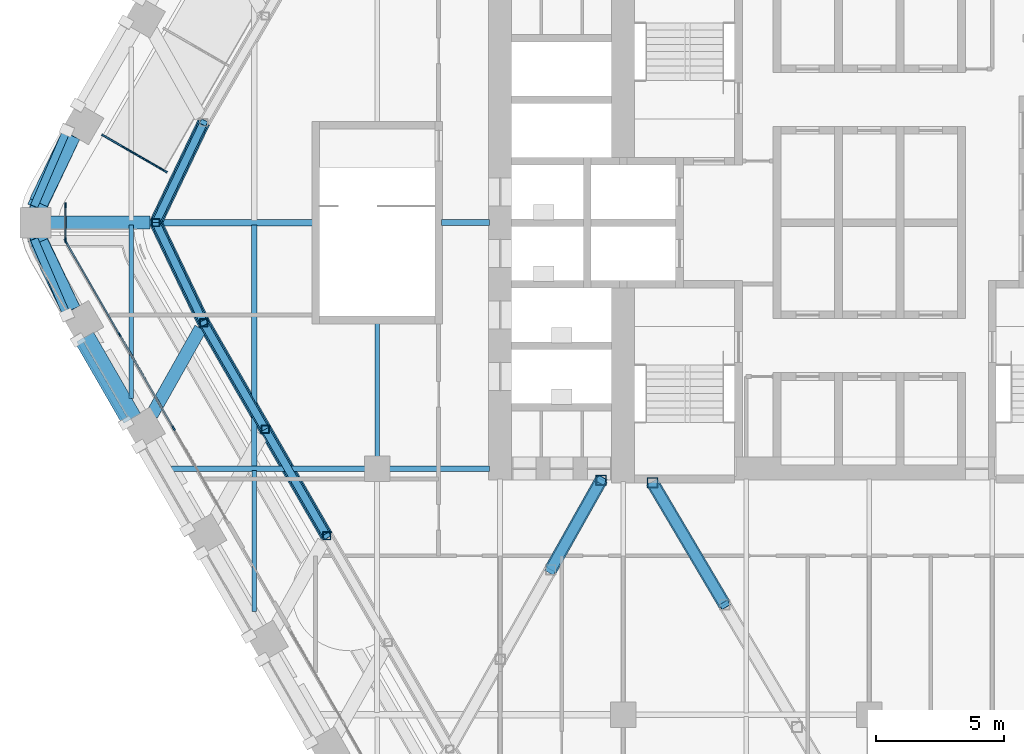
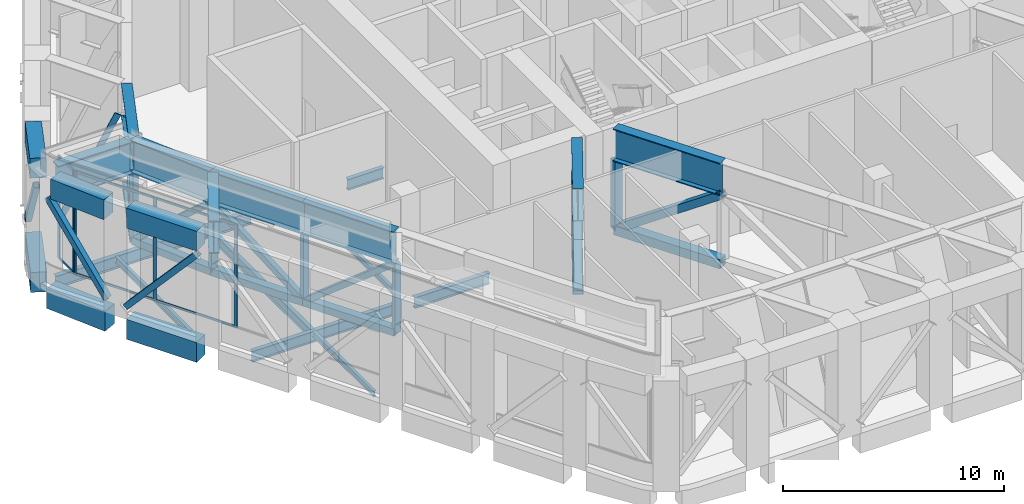
# One storey, part 4 of 27: 33 members, 22 beams, 3 elements without a shape of their own.
"""IFC4 building model written with IfcOpenShell, lengths in metres."""

from ifc_helpers import new_model, si_unit, direction, frame, origin, origin_2d, place, context, subcontext, project, spatial, rectangle, hollow_rectangle, i_section, extrude, material, material_profile, profile_set, type_object, element, aggregate, save


model = new_model("IFC4")

# Units and contexts
model_context = context("Model", 3, precision=1e-05, world=origin(), true_north=direction((0.0, 1.0)))
body_context = subcontext(model_context, "Body", "Model", "MODEL_VIEW")
ifc_project = project(units=[si_unit("LENGTHUNIT", "METRE"), si_unit("AREAUNIT", "SQUARE_METRE"), si_unit("VOLUMEUNIT", "CUBIC_METRE"), si_unit("PLANEANGLEUNIT", "RADIAN"), si_unit("MASSUNIT", "GRAM", prefix="KILO")], contexts=[model_context])

# Site, building, storey
site_placement = place(None, origin())
site = spatial("IfcSite", under=ifc_project, at=site_placement, CompositionType="ELEMENT")
building_placement = place(site_placement, origin())
building = spatial("IfcBuilding", under=site, at=building_placement, Name="Kolab Exchange Tower", CompositionType="ELEMENT")
storey_placement = place(building_placement, frame((0.0, 0.0, 127.39990234375)))
storey = spatial("IfcBuildingStorey", under=building, at=storey_placement, Name="L25", CompositionType="ELEMENT", Elevation=127.39990234375)

# Members
ifc_material_1 = material(Name="Steel S355", Category="steel")
ifc_material_profile_1 = material_profile(ifc_material_1, hollow_rectangle(XDim=0.300048828125, YDim=0.300048828125, WallThickness=0.01611328125, at=origin_2d()), Name="HSS300X300X16")
ifc_profile_set_1 = profile_set([ifc_material_profile_1], Name="Steel S355")
member_type_1 = type_object("IfcMemberType", Name="BELT TRUSS BRACE HSS300X300X16", PredefinedType="BRACE", material=ifc_profile_set_1)
for number, where, z_axis, x_axis, name in (
    (1, (-21.1669921875, -12.220703125, 4.050048828125), (-0.392004841722, 0.679009810783, -0.620707564741), (-0.866037363387, -0.499979284789, 0.0), "mem/L25/ring/d-F5-04"),
    (2, (-23.56689453125, -8.063720703125, 0.25), (-0.392049206664, 0.678977702437, 0.620714668062), (-0.866002622515, -0.50003945624, 0.0), "mem/L25/ring/d-F5-05"),
):
    element("IfcMember", number, at=place(storey_placement, frame(where, z_axis=z_axis, x_axis=x_axis)), inside=storey, type_object=member_type_1, Name=name, PredefinedType="BRACE", context=body_context, shape_type="SweptSolid", body=[
        extrude(hollow_rectangle(XDim=0.300048828125, YDim=0.300048828125, WallThickness=0.01611328125, at=origin_2d()), origin(), (0.0, 0.0, 1.0), 6.1220703125),
    ])
for number, where, z_axis, x_axis, name in (
    (3, (-25.967041015625, -3.906982421875, 4.050048828125), (-0.324363166601, 0.678090627709, -0.659531376635), (-0.902103692361, -0.43151932544, 0.0), "mem/L25/ring/d-F5-06"),
    (4, (-27.8359375, 0.0, 0.25), (0.324363166601, 0.678090627709, 0.659531376635), (-0.902103692361, 0.43151932544, 0.0), "mem/L25/ring/d-F6-01"),
):
    element("IfcMember", number, at=place(storey_placement, frame(where, z_axis=z_axis, x_axis=x_axis)), inside=storey, type_object=member_type_1, Name=name, PredefinedType="BRACE", context=body_context, shape_type="SweptSolid", body=[
        extrude(hollow_rectangle(XDim=0.300048828125, YDim=0.300048828125, WallThickness=0.01611328125, at=origin_2d()), origin(), (0.0, 0.0, 1.0), 5.76171875),
    ])
member_1_placement = place(storey_placement, frame((-29.006591796875, -7.812255859375, 4.60009765625), z_axis=(-0.33175876964, 0.574575918421, -0.748196921096), x_axis=(-0.866007645851, -0.500030756381, 0.0)))
element("IfcMember", 5, at=member_1_placement, inside=storey, type_object=member_type_1, Name="mem/L25/fb/F5-06", PredefinedType="BRACE", context=body_context, shape_type="SweptSolid", body=[
    extrude(hollow_rectangle(XDim=0.300048828125, YDim=0.300048828125, WallThickness=0.01611328125, at=origin_2d()), origin(), (0.0, 0.0, 1.0), 5.613525390625),
])
for number, where, z_axis, x_axis, name in (
    (6, (-31.311767578125, -3.602294921875, 0.400146484375), (-0.246074171862, 0.571594627761, 0.782768856979), (-0.91850087685, -0.395418941411, 0.0), "mem/L25/fb/F5-07"),
    (7, (-32.632080078125, 0.535400390625, 4.60009765625), (0.246074171862, 0.571594627761, -0.782768856979), (-0.91850087685, 0.395418941411, 0.0), "mem/L25/fb/F6-01"),
):
    element("IfcMember", number, at=place(storey_placement, frame(where, z_axis=z_axis, x_axis=x_axis)), inside=storey, type_object=member_type_1, Name=name, PredefinedType="BRACE", context=body_context, shape_type="SweptSolid", body=[
        extrude(hollow_rectangle(XDim=0.300048828125, YDim=0.300048828125, WallThickness=0.01611328125, at=origin_2d()), origin(), (0.0, 0.0, 1.0), 5.365478515625),
    ])
ifc_material_profile_2 = material_profile(ifc_material_1, hollow_rectangle(XDim=0.39990234375, YDim=0.39990234375, WallThickness=0.02001953125, at=origin_2d()), Name="HSS400X400X20")
ifc_profile_set_2 = profile_set([ifc_material_profile_2], Name="Steel S355")
member_type_2 = type_object("IfcMemberType", Name="BELT TRUSS CHORD HSS400X400X20", PredefinedType="CHORD", material=ifc_profile_set_2)
member_2_placement = place(storey_placement, frame((-21.1669921875, -12.220703125, 0.25), z_axis=(-0.499979284789, 0.866037363387, 0.0), x_axis=(-0.866037363387, -0.499979284789, 0.0)))
element("IfcMember", 8, at=member_2_placement, inside=storey, type_object=member_type_2, Name="mem/L25/ring/c-F5-04", PredefinedType="CHORD", context=body_context, shape_type="SweptSolid", body=[
    extrude(hollow_rectangle(XDim=0.39990234375, YDim=0.39990234375, WallThickness=0.02001953125, at=origin_2d()), origin(), (0.0, 0.0, 1.0), 4.800048828125),
])
member_3_placement = place(storey_placement, frame((-23.56689453125, -8.063720703125, 0.25), z_axis=(-0.50003945624, 0.866002622515, 0.0), x_axis=(-0.866002622515, -0.50003945624, 0.0)))
element("IfcMember", 9, at=member_3_placement, inside=storey, type_object=member_type_2, Name="mem/L25/ring/c-F5-05", PredefinedType="CHORD", context=body_context, shape_type="SweptSolid", body=[
    extrude(hollow_rectangle(XDim=0.39990234375, YDim=0.39990234375, WallThickness=0.02001953125, at=origin_2d()), origin(), (0.0, 0.0, 1.0), 4.7998046875),
])
for number, where, z_axis, x_axis, name in (
    (10, (-25.967041015625, -3.906982421875, 0.25), (-0.43151932544, 0.902103692361, 0.0), (-0.902103692361, -0.43151932544, 0.0), "mem/L25/ring/c-F5-06"),
    (11, (-27.8359375, 0.0, 0.25), (0.43151932544, 0.902103692361, 0.0), (-0.902103692361, 0.43151932544, 0.0), "mem/L25/ring/c-F6-01"),
):
    element("IfcMember", number, at=place(storey_placement, frame(where, z_axis=z_axis, x_axis=x_axis)), inside=storey, type_object=member_type_2, Name=name, PredefinedType="CHORD", context=body_context, shape_type="SweptSolid", body=[
        extrude(hollow_rectangle(XDim=0.39990234375, YDim=0.39990234375, WallThickness=0.02001953125, at=origin_2d()), origin(), (0.0, 0.0, 1.0), 4.3310546875),
    ])

# Beams
ifc_material_profile_3 = material_profile(ifc_material_1, i_section(OverallWidth=0.5, OverallDepth=1.800048828125, WebThickness=0.031982421875, FlangeThickness=0.050048828125, at=origin_2d()), Name="PG1800X500")
ifc_profile_set_3 = profile_set([ifc_material_profile_3], Name="Steel S355")
beam_type_1 = type_object("IfcBeamType", Name="BELT TRUSS GIRDER PG1800X500", PredefinedType="BEAM", material=ifc_profile_set_3)
beam_1_placement = place(storey_placement, frame((-21.1669921875, -12.220703125, 4.9501953125), z_axis=(-0.499979284789, 0.866037363387, 0.0), x_axis=(-0.866037363387, -0.499979284789, 0.0)))
element("IfcBeam", 12, at=beam_1_placement, inside=storey, type_object=beam_type_1, Name="beam/L25/bg/F5-run2", PredefinedType="BEAM", context=body_context, shape_type="SweptSolid", body=[
    extrude(i_section(OverallWidth=0.5, OverallDepth=1.800048828125, WebThickness=0.031982421875, FlangeThickness=0.050048828125, at=origin_2d()), origin(), (0.0, 0.0, 1.0), 4.800048828125),
])
beam_2_placement = place(storey_placement, frame((-23.56689453125, -8.063720703125, 4.9501953125), z_axis=(-0.50003945624, 0.866002622515, 0.0), x_axis=(-0.866002622515, -0.50003945624, 0.0)))
element("IfcBeam", 13, at=beam_2_placement, inside=storey, type_object=beam_type_1, Name="beam/L25/bg/F5-run3", PredefinedType="BEAM", context=body_context, shape_type="SweptSolid", body=[
    extrude(i_section(OverallWidth=0.5, OverallDepth=1.800048828125, WebThickness=0.031982421875, FlangeThickness=0.050048828125, at=origin_2d()), origin(), (0.0, 0.0, 1.0), 4.7998046875),
])
for number, where, z_axis, x_axis, name in (
    (14, (-25.967041015625, -3.906982421875, 4.9501953125), (-0.43151932544, 0.902103692361, 0.0), (-0.902103692361, -0.43151932544, 0.0), "beam/L25/bg/F5-out"),
    (15, (-27.8359375, 0.0, 4.9501953125), (0.43151932544, 0.902103692361, 0.0), (-0.902103692361, 0.43151932544, 0.0), "beam/L25/bg/F6-in"),
):
    element("IfcBeam", number, at=place(storey_placement, frame(where, z_axis=z_axis, x_axis=x_axis)), inside=storey, type_object=beam_type_1, Name=name, PredefinedType="BEAM", context=body_context, shape_type="SweptSolid", body=[
        extrude(i_section(OverallWidth=0.5, OverallDepth=1.800048828125, WebThickness=0.031982421875, FlangeThickness=0.050048828125, at=origin_2d()), origin(), (0.0, 0.0, 1.0), 4.3310546875),
    ])

# Members
ifc_material_profile_4 = material_profile(ifc_material_1, hollow_rectangle(XDim=0.300048828125, YDim=0.300048828125, WallThickness=0.01611328125, at=origin_2d()), Name="HSS300X300X16")
ifc_profile_set_4 = profile_set([ifc_material_profile_4], Name="Steel S355")
member_type_3 = type_object("IfcMemberType", Name="BELT TRUSS POST HSS300X300X16", PredefinedType="POST", material=ifc_profile_set_4)
for number, where, z_axis, x_axis, name in (
    (16, (-21.1669921875, -12.220703125, 0.25), (0.0, 0.0, 1.0), (1.0, 0.0, 0.0), "mem/L25/ring/p-F5-04"),
    (17, (-23.56689453125, -8.063720703125, 0.25), (0.0, 0.0, 1.0), (1.0, 0.0, 0.0), "mem/L25/ring/p-F5-05"),
    (18, (-25.967041015625, -3.906982421875, 0.25), (0.0, 0.0, 1.0), (1.0, 0.0, 0.0), "mem/L25/ring/p-F5-06"),
    (19, (-27.8359375, 0.0, 0.25), (0.0, 0.0, 1.0), (1.0, 0.0, 0.0), "mem/L25/ring/p-F6-01"),
):
    element("IfcMember", number, at=place(storey_placement, frame(where, z_axis=z_axis, x_axis=x_axis)), inside=storey, type_object=member_type_3, Name=name, PredefinedType="POST", context=body_context, shape_type="SweptSolid", body=[
        extrude(hollow_rectangle(XDim=0.300048828125, YDim=0.300048828125, WallThickness=0.01611328125, at=origin_2d()), origin(), (0.0, 0.0, 1.0), 3.800048828125),
    ])

# Curtain wall, member
ifc_material_2 = material(Name="Aluminium EN AW-6063 T6", Category="aluminium")
curtain_wall_type_1 = type_object("IfcCurtainWallType", Name="CANTED BAND CURTAIN WALL", PredefinedType="NOTDEFINED", material=ifc_material_2)
curtain_wall_1_placement = place(storey_placement, origin())
curtain_wall_1 = element("IfcCurtainWall", 20, at=curtain_wall_1_placement, inside=storey, type_object=curtain_wall_type_1, Name="band/L25/F6", PredefinedType="NOTDEFINED")
ifc_material_profile_5 = material_profile(ifc_material_2, rectangle(XDim=0.06005859375, YDim=0.300048828125, at=origin_2d()), Name="RECT 60X300")
ifc_profile_set_5 = profile_set([ifc_material_profile_5], Name="Aluminium EN AW-6063 T6")
member_type_4 = type_object("IfcMemberType", Name="CANTED BAND MULLION 60 X 300", PredefinedType="MULLION", material=ifc_profile_set_5)
member_4_placement = place(storey_placement, frame((-29.831787109375, 3.366943359375, -0.099853515625), z_axis=(0.355833859075, -0.205421357987, 0.911693111973), x_axis=(0.499964557259, 0.866045865693, 0.0)))
member_4 = element("IfcMember", 21, at=member_4_placement, type_object=member_type_4, Name="Band mullion", PredefinedType="MULLION", context=body_context, shape_type="SweptSolid", body=[
    extrude(rectangle(XDim=0.06005859375, YDim=0.300048828125, at=origin_2d()), origin(), (0.0, 0.0, 1.0), 6.515380859375),
])
aggregate(curtain_wall_1, [member_4])

# Beams
ifc_material_profile_6 = material_profile(ifc_material_1, i_section(OverallWidth=0.1650390625, OverallDepth=0.31005859375, WebThickness=0.005859375, FlangeThickness=0.009765625, at=origin_2d()), Name="W310X39")
ifc_profile_set_6 = profile_set([ifc_material_profile_6], Name="Steel S355")
beam_type_2 = type_object("IfcBeamType", Name="FLOOR BEAM W310X39", PredefinedType="BEAM", material=ifc_profile_set_6)
beam_3_placement = place(storey_placement, frame((-24.0, -15.167724609375, -0.454833984375), z_axis=(0.0, 1.0, 0.0), x_axis=(-1.0, 0.0, 0.0)))
element("IfcBeam", 22, at=beam_3_placement, inside=storey, type_object=beam_type_2, Name="beam/L25/fr/002", PredefinedType="BEAM", context=body_context, shape_type="SweptSolid", body=[
    extrude(i_section(OverallWidth=0.1650390625, OverallDepth=0.31005859375, WebThickness=0.005859375, FlangeThickness=0.009765625, at=origin_2d()), origin(), (0.0, 0.0, 1.0), 5.49365234375),
])
beam_4_placement = place(storey_placement, frame((-19.199951171875, -9.139892578125, -0.454833984375), z_axis=(0.0, 1.0, 0.0), x_axis=(-1.0, 0.0, 0.0)))
element("IfcBeam", 23, at=beam_4_placement, inside=storey, type_object=beam_type_2, Name="beam/L25/fr/008", PredefinedType="BEAM", context=body_context, shape_type="SweptSolid", body=[
    extrude(i_section(OverallWidth=0.1650390625, OverallDepth=0.31005859375, WebThickness=0.005859375, FlangeThickness=0.009765625, at=origin_2d()), origin(), (0.0, 0.0, 1.0), 5.22998046875),
])
ifc_material_profile_7 = material_profile(ifc_material_1, i_section(OverallWidth=0.1708984375, OverallDepth=0.35498046875, WebThickness=0.007080078125, FlangeThickness=0.01171875, at=origin_2d()), Name="W360X51")
ifc_profile_set_7 = profile_set([ifc_material_profile_7], Name="Steel S355")
beam_type_3 = type_object("IfcBeamType", Name="FLOOR BEAM W360X51", PredefinedType="BEAM", material=ifc_profile_set_7)
beam_5_placement = place(storey_placement, frame((-28.800048828125, -6.853759765625, -0.477294921875), z_axis=(0.0, 1.0, 0.0), x_axis=(-1.0, 0.0, 0.0)))
element("IfcBeam", 24, at=beam_5_placement, inside=storey, type_object=beam_type_3, Name="beam/L25/fr/000", PredefinedType="BEAM", context=body_context, shape_type="SweptSolid", body=[
    extrude(i_section(OverallWidth=0.1708984375, OverallDepth=0.35498046875, WebThickness=0.007080078125, FlangeThickness=0.01171875, at=origin_2d()), origin(), (0.0, 0.0, 1.0), 6.766845703125),
])
ifc_material_profile_8 = material_profile(ifc_material_1, i_section(OverallWidth=0.208984375, OverallDepth=0.532958984375, WebThickness=0.01025390625, FlangeThickness=0.015625, at=origin_2d()), Name="W530X92")
ifc_profile_set_8 = profile_set([ifc_material_profile_8], Name="Steel S355")
beam_type_4 = type_object("IfcBeamType", Name="FLOOR BEAM W530X92", PredefinedType="BEAM", material=ifc_profile_set_8)
beam_6_placement = place(storey_placement, frame((-24.0, -9.52587890625, -0.56640625), z_axis=(0.0, 1.0, 0.0), x_axis=(-1.0, 0.0, 0.0)))
element("IfcBeam", 25, at=beam_6_placement, inside=storey, type_object=beam_type_4, Name="beam/L25/fr/003", PredefinedType="BEAM", context=body_context, shape_type="SweptSolid", body=[
    extrude(i_section(OverallWidth=0.208984375, OverallDepth=0.532958984375, WebThickness=0.01025390625, FlangeThickness=0.015625, at=origin_2d()), origin(), (0.0, 0.0, 1.0), 9.43896484375),
])
ifc_material_profile_9 = material_profile(ifc_material_1, i_section(OverallWidth=0.22802734375, OverallDepth=0.60791015625, WebThickness=0.01123046875, FlangeThickness=0.017333984375, at=origin_2d()), Name="W610X113")
ifc_profile_set_9 = profile_set([ifc_material_profile_9], Name="Steel S355")
beam_type_5 = type_object("IfcBeamType", Name="FLOOR GIRDER W610X113", PredefinedType="BEAM", material=ifc_profile_set_9)
beam_7_placement = place(storey_placement, frame((-27.2314453125, -9.60009765625, -0.60400390625), z_axis=(1.0, 0.0, 0.0), x_axis=(0.0, 1.0, 0.0)))
element("IfcBeam", 26, at=beam_7_placement, inside=storey, type_object=beam_type_5, Name="beam/L25/gd/001", PredefinedType="BEAM", context=body_context, shape_type="SweptSolid", body=[
    extrude(i_section(OverallWidth=0.22802734375, OverallDepth=0.60791015625, WebThickness=0.01123046875, FlangeThickness=0.017333984375, at=origin_2d()), origin(), (0.0, 0.0, 1.0), 7.571533203125),
])
beam_8_placement = place(storey_placement, frame((-18.739990234375, -9.60009765625, -0.60400390625), z_axis=(1.0, 0.0, 0.0), x_axis=(0.0, 1.0, 0.0)))
element("IfcBeam", 27, at=beam_8_placement, inside=storey, type_object=beam_type_5, Name="beam/L25/gd/005", PredefinedType="BEAM", context=body_context, shape_type="SweptSolid", body=[
    extrude(i_section(OverallWidth=0.22802734375, OverallDepth=0.60791015625, WebThickness=0.01123046875, FlangeThickness=0.017333984375, at=origin_2d()), origin(), (0.0, 0.0, 1.0), 3.929931640625),
])
beam_9_placement = place(storey_placement, frame((-16.68994140625, 0.0, -0.60400390625), z_axis=(1.0, 0.0, 0.0), x_axis=(0.0, 1.0, 0.0)))
element("IfcBeam", 28, at=beam_9_placement, inside=storey, type_object=beam_type_5, Name="beam/L25/gd/007", PredefinedType="BEAM", context=body_context, shape_type="SweptSolid", body=[
    extrude(i_section(OverallWidth=0.22802734375, OverallDepth=0.60791015625, WebThickness=0.01123046875, FlangeThickness=0.017333984375, at=origin_2d()), origin(), (0.0, 0.0, 1.0), 1.8798828125),
])
ifc_material_profile_10 = material_profile(ifc_material_1, i_section(OverallWidth=0.25390625, OverallDepth=0.68408203125, WebThickness=0.012451171875, FlangeThickness=0.018798828125, at=origin_2d()), Name="W690X140")
ifc_profile_set_10 = profile_set([ifc_material_profile_10], Name="Steel S355")
beam_type_6 = type_object("IfcBeamType", Name="FLOOR GIRDER W690X140", PredefinedType="BEAM", material=ifc_profile_set_10)
beam_10_placement = place(storey_placement, frame((-31.975830078125, 0.0, -0.641845703125), z_axis=(1.0, 0.0, 0.0), x_axis=(0.0, 1.0, 0.0)))
element("IfcBeam", 29, at=beam_10_placement, inside=storey, type_object=beam_type_6, Name="beam/L25/gd/000", PredefinedType="BEAM", context=body_context, shape_type="SweptSolid", body=[
    extrude(i_section(OverallWidth=0.25390625, OverallDepth=0.68408203125, WebThickness=0.012451171875, FlangeThickness=0.018798828125, at=origin_2d()), origin(), (0.0, 0.0, 1.0), 10.265869140625),
])

# Members
ifc_material_profile_11 = material_profile(ifc_material_1, hollow_rectangle(XDim=0.39990234375, YDim=0.39990234375, WallThickness=0.02001953125, at=origin_2d()), Name="HSS400X400X20")
ifc_profile_set_11 = profile_set([ifc_material_profile_11], Name="Steel S355")
member_type_5 = type_object("IfcMemberType", Name="OUTRIGGER BRACE HSS400X400X20", PredefinedType="BRACE", material=ifc_profile_set_11)
member_5_placement = place(storey_placement, frame((-8.45458984375, -10.14990234375, 0.25), z_axis=(0.41974066939, -0.709555547242, 0.565993547523), x_axis=(0.860683193044, 0.509140885425, 0.0)))
element("IfcMember", 30, at=member_5_placement, inside=storey, type_object=member_type_5, Name="mem/L25/out/03/d00", PredefinedType="BRACE", context=body_context, shape_type="SweptSolid", body=[
    extrude(hollow_rectangle(XDim=0.39990234375, YDim=0.39990234375, WallThickness=0.02001953125, at=origin_2d()), origin(), (0.0, 0.0, 1.0), 6.7138671875),
])
member_6_placement = place(storey_placement, frame((-10.461181640625, -10.050048828125, 4.050048828125), z_axis=(-0.356267901015, -0.632515813348, -0.687747721604), x_axis=(0.871294182831, -0.490761089498, 0.0)))
element("IfcMember", 31, at=member_6_placement, inside=storey, type_object=member_type_5, Name="mem/L25/out/04/d00", PredefinedType="BRACE", context=body_context, shape_type="SweptSolid", body=[
    extrude(hollow_rectangle(XDim=0.39990234375, YDim=0.39990234375, WallThickness=0.02001953125, at=origin_2d()), origin(), (0.0, 0.0, 1.0), 5.525390625),
])
ifc_material_profile_12 = material_profile(ifc_material_1, hollow_rectangle(XDim=0.5, YDim=0.5, WallThickness=0.02490234375, at=origin_2d()), Name="HSS500X500X25")
ifc_profile_set_12 = profile_set([ifc_material_profile_12], Name="Steel S355")
member_type_6 = type_object("IfcMemberType", Name="OUTRIGGER CHORD HSS500X500X25", PredefinedType="CHORD", material=ifc_profile_set_12)
member_7_placement = place(storey_placement, frame((-8.45458984375, -10.14990234375, 0.25), z_axis=(0.509140885425, -0.860683193044, 0.0), x_axis=(0.860683193044, 0.509140885425, 0.0)))
element("IfcMember", 32, at=member_7_placement, inside=storey, type_object=member_type_6, Name="mem/L25/out/03/c00", PredefinedType="CHORD", context=body_context, shape_type="SweptSolid", body=[
    extrude(hollow_rectangle(XDim=0.5, YDim=0.5, WallThickness=0.02490234375, at=origin_2d()), origin(), (0.0, 0.0, 1.0), 5.53515625),
])
member_8_placement = place(storey_placement, frame((-10.461181640625, -10.050048828125, 0.25), z_axis=(-0.490761089498, -0.871294182831, 0.0), x_axis=(0.871294182831, -0.490761089498, 0.0)))
element("IfcMember", 33, at=member_8_placement, inside=storey, type_object=member_type_6, Name="mem/L25/out/04/c00", PredefinedType="CHORD", context=body_context, shape_type="SweptSolid", body=[
    extrude(hollow_rectangle(XDim=0.5, YDim=0.5, WallThickness=0.02490234375, at=origin_2d()), origin(), (0.0, 0.0, 1.0), 4.01123046875),
])

# Beams
ifc_material_profile_13 = material_profile(ifc_material_1, i_section(OverallWidth=0.5, OverallDepth=1.800048828125, WebThickness=0.031982421875, FlangeThickness=0.050048828125, at=origin_2d()), Name="PG1800X500")
ifc_profile_set_13 = profile_set([ifc_material_profile_13], Name="Steel S355")
beam_type_7 = type_object("IfcBeamType", Name="OUTRIGGER GIRDER PG1800X500", PredefinedType="BEAM", material=ifc_profile_set_13)
beam_11_placement = place(storey_placement, frame((-8.47509765625, -10.115478515625, 4.9501953125), z_axis=(0.509160051714, -0.860671854854, 0.0), x_axis=(0.860671854854, 0.509160051714, 0.0)))
element("IfcBeam", 34, at=beam_11_placement, inside=storey, type_object=beam_type_7, Name="beam/L25/og/03-00", PredefinedType="BEAM", context=body_context, shape_type="SweptSolid", body=[
    extrude(i_section(OverallWidth=0.5, OverallDepth=1.800048828125, WebThickness=0.031982421875, FlangeThickness=0.050048828125, at=origin_2d()), origin(), (0.0, 0.0, 1.0), 5.5751953125),
])
beam_12_placement = place(storey_placement, frame((-10.44140625, -10.01513671875, 4.9501953125), z_axis=(-0.490781881685, -0.871282471194, 0.0), x_axis=(0.871282471194, -0.490781881685, 0.0)))
element("IfcBeam", 35, at=beam_12_placement, inside=storey, type_object=beam_type_7, Name="beam/L25/og/04-00", PredefinedType="BEAM", context=body_context, shape_type="SweptSolid", body=[
    extrude(i_section(OverallWidth=0.5, OverallDepth=1.800048828125, WebThickness=0.031982421875, FlangeThickness=0.050048828125, at=origin_2d()), origin(), (0.0, 0.0, 1.0), 4.05126953125),
])

# Members
ifc_material_profile_14 = material_profile(ifc_material_1, hollow_rectangle(XDim=0.39990234375, YDim=0.39990234375, WallThickness=0.02001953125, at=origin_2d()), Name="HSS400X400X20")
ifc_profile_set_14 = profile_set([ifc_material_profile_14], Name="Steel S355")
member_type_7 = type_object("IfcMemberType", Name="OUTRIGGER POST HSS400X400X20", PredefinedType="POST", material=ifc_profile_set_14)
for number, where, z_axis, x_axis, name in (
    (36, (-8.45458984375, -10.14990234375, 0.25), (0.0, 0.0, 1.0), (1.0, 0.0, 0.0), "mem/L25/out/03/p00"),
    (37, (-10.461181640625, -10.050048828125, 0.25), (0.0, 0.0, 1.0), (1.0, 0.0, 0.0), "mem/L25/out/04/p00"),
):
    element("IfcMember", number, at=place(storey_placement, frame(where, z_axis=z_axis, x_axis=x_axis)), inside=storey, type_object=member_type_7, Name=name, PredefinedType="POST", context=body_context, shape_type="SweptSolid", body=[
        extrude(hollow_rectangle(XDim=0.39990234375, YDim=0.39990234375, WallThickness=0.02001953125, at=origin_2d()), origin(), (0.0, 0.0, 1.0), 3.800048828125),
    ])

# Beams
ifc_material_3 = material(Name="Concrete C70/85", Category="concrete")
ifc_material_profile_15 = material_profile(ifc_material_3, rectangle(XDim=0.75, YDim=1.10009765625, at=origin_2d()), Name="RC750X1100")
ifc_profile_set_15 = profile_set([ifc_material_profile_15], Name="Concrete C70/85")
beam_type_8 = type_object("IfcBeamType", Name="SPANDREL BEAM 750X1100 C70/85", PredefinedType="BEAM", material=ifc_profile_set_15)
beam_13_placement = place(storey_placement, frame((-28.755126953125, -7.641357421875, -0.849853515625), z_axis=(-0.500013413428, 0.866017659399, 0.0), x_axis=(-0.866017659399, -0.500013413428, 0.0)))
element("IfcBeam", 38, at=beam_13_placement, inside=storey, type_object=beam_type_8, Name="beam/L25/sp/F5-06", PredefinedType="BEAM", context=body_context, shape_type="SweptSolid", body=[
    extrude(rectangle(XDim=0.75, YDim=1.10009765625, at=origin_2d()), origin(), (0.0, 0.0, 1.0), 3.68017578125),
])
for number, where, z_axis, x_axis, name in (
    (39, (-31.116455078125, -3.4619140625, -0.849853515625), (-0.429041292193, 0.903284877319, 0.0), (-0.903284877319, -0.429041292193, 0.0), "beam/L25/sp/F5-07"),
    (40, (-32.492919921875, 0.56396484375, -0.849853515625), (0.429041292193, 0.903284877319, 0.0), (-0.903284877319, 0.429041292193, 0.0), "beam/L25/sp/F6-01"),
):
    element("IfcBeam", number, at=place(storey_placement, frame(where, z_axis=z_axis, x_axis=x_axis)), inside=storey, type_object=beam_type_8, Name=name, PredefinedType="BEAM", context=body_context, shape_type="SweptSolid", body=[
        extrude(rectangle(XDim=0.75, YDim=1.10009765625, at=origin_2d()), origin(), (0.0, 0.0, 1.0), 3.208251953125),
    ])
beam_14_placement = place(storey_placement, frame((-28.755126953125, -7.641357421875, 5.300048828125), z_axis=(-0.500013413428, 0.866017659399, 0.0), x_axis=(-0.866017659399, -0.500013413428, 0.0)))
element("IfcBeam", 41, at=beam_14_placement, inside=storey, type_object=beam_type_8, Name="beam/L25/cp/F5-06", PredefinedType="BEAM", context=body_context, shape_type="SweptSolid", body=[
    extrude(rectangle(XDim=0.75, YDim=1.10009765625, at=origin_2d()), origin(), (0.0, 0.0, 1.0), 3.68017578125),
])
for number, where, z_axis, x_axis, name in (
    (42, (-31.144775390625, -3.41064453125, 5.300048828125), (-0.433495850752, 0.901155562254, 0.0), (-0.901155562254, -0.433495850752, 0.0), "beam/L25/cp/F5-07"),
    (43, (-32.40869140625, 0.783203125, 5.300048828125), (0.433495850752, 0.901155562254, 0.0), (-0.901155562254, 0.433495850752, 0.0), "beam/L25/cp/F6-01"),
):
    element("IfcBeam", number, at=place(storey_placement, frame(where, z_axis=z_axis, x_axis=x_axis)), inside=storey, type_object=beam_type_8, Name=name, PredefinedType="BEAM", context=body_context, shape_type="SweptSolid", body=[
        extrude(rectangle(XDim=0.75, YDim=1.10009765625, at=origin_2d()), origin(), (0.0, 0.0, 1.0), 2.91552734375),
    ])
ifc_material_profile_16 = material_profile(ifc_material_1, i_section(OverallWidth=0.5, OverallDepth=1.800048828125, WebThickness=0.031982421875, FlangeThickness=0.050048828125, at=origin_2d()), Name="PG1800X500")
ifc_profile_set_16 = profile_set([ifc_material_profile_16], Name="Steel S355")
beam_type_9 = type_object("IfcBeamType", Name="TRANSFER GIRDER PG1800X500", PredefinedType="BEAM", material=ifc_profile_set_16)
beam_15_placement = place(storey_placement, frame((-26.089599609375, -4.124755859375, 4.9501953125), z_axis=(-0.490774507878, -0.87128662472, 0.0), x_axis=(0.87128662472, -0.490774507878, 0.0)))
element("IfcBeam", 44, at=beam_15_placement, inside=storey, type_object=beam_type_9, Name="beam/L25/tg/F5-06", PredefinedType="BEAM", context=body_context, shape_type="SweptSolid", body=[
    extrude(i_section(OverallWidth=0.5, OverallDepth=1.800048828125, WebThickness=0.031982421875, FlangeThickness=0.050048828125, at=origin_2d()), origin(), (0.0, 0.0, 1.0), 3.8837890625),
])
beam_16_placement = place(storey_placement, frame((-28.055908203125, 0.0, 4.9501953125), z_axis=(-1.0, 0.0, 0.0), x_axis=(0.0, -1.0, 0.0)))
element("IfcBeam", 45, at=beam_16_placement, inside=storey, type_object=beam_type_9, Name="beam/L25/tg/F6-01", PredefinedType="BEAM", context=body_context, shape_type="SweptSolid", body=[
    extrude(i_section(OverallWidth=0.5, OverallDepth=1.800048828125, WebThickness=0.031982421875, FlangeThickness=0.050048828125, at=origin_2d()), origin(), (0.0, 0.0, 1.0), 3.889892578125),
])

# Curtain wall, members
curtain_wall_type_2 = type_object("IfcCurtainWallType", Name="UNITISED LOWER MID ZONE BELT CURTAIN WALL", PredefinedType="NOTDEFINED", material=ifc_material_2)
curtain_wall_2_placement = place(storey_placement, origin())
curtain_wall_2 = element("IfcCurtainWall", 46, at=curtain_wall_2_placement, inside=storey, type_object=curtain_wall_type_2, Name="cw/L25/F5-2", PredefinedType="NOTDEFINED")
ifc_material_profile_17 = material_profile(ifc_material_2, rectangle(XDim=0.06005859375, YDim=0.179931640625, at=origin_2d()), Name="RECT 60X180")
ifc_profile_set_17 = profile_set([ifc_material_profile_17], Name="Aluminium EN AW-6063 T6")
member_type_8 = type_object("IfcMemberType", Name="UNITISED LOWER MID ZONE BELT MULLION 60 X 180", PredefinedType="MULLION", material=ifc_profile_set_17)
member_9_placement = place(storey_placement, frame((-27.14306640625, -8.02392578125, 0.0), z_axis=(0.0, 0.0, 1.0), x_axis=(-0.866025427826, -0.499999958358, 0.0)))
member_9 = element("IfcMember", 47, at=member_9_placement, type_object=member_type_8, Name="CW10 mullion 2", PredefinedType="MULLION", context=body_context, shape_type="SweptSolid", body=[
    extrude(rectangle(XDim=0.06005859375, YDim=0.179931640625, at=origin_2d()), origin(), (0.0, 0.0, 1.0), 5.7001953125),
])
member_10_placement = place(storey_placement, frame((-29.25439453125, -4.366943359375, 0.0), z_axis=(0.0, 0.0, 1.0), x_axis=(-0.866025427826, -0.499999958358, 0.0)))
member_10 = element("IfcMember", 48, at=member_10_placement, type_object=member_type_8, Name="CW10 mullion 3", PredefinedType="MULLION", context=body_context, shape_type="SweptSolid", body=[
    extrude(rectangle(XDim=0.06005859375, YDim=0.179931640625, at=origin_2d()), origin(), (0.0, 0.0, 1.0), 5.7001953125),
])
member_11_placement = place(storey_placement, frame((-31.3505859375, -0.736083984375, 0.0), z_axis=(0.0, 0.0, 1.0), x_axis=(-0.866025427826, -0.499999958358, 0.0)))
member_11 = element("IfcMember", 49, at=member_11_placement, type_object=member_type_8, Name="CW10 mullion 4", PredefinedType="MULLION", context=body_context, shape_type="SweptSolid", body=[
    extrude(rectangle(XDim=0.06005859375, YDim=0.179931640625, at=origin_2d()), origin(), (0.0, 0.0, 1.0), 5.7001953125),
])

curtain_wall_3_placement = place(storey_placement, origin())
curtain_wall_3 = element("IfcCurtainWall", 50, at=curtain_wall_3_placement, inside=storey, type_object=curtain_wall_type_2, Name="cw/L25/F5F6-corner", PredefinedType="NOTDEFINED")
member_12_placement = place(storey_placement, frame((-31.36572265625, -0.679931640625, 0.0), z_axis=(0.0, 0.0, 1.0), x_axis=(-1.0, 0.0, 0.0)))
member_12 = element("IfcMember", 51, at=member_12_placement, type_object=member_type_8, Name="CW10 mullion 1", PredefinedType="MULLION", context=body_context, shape_type="SweptSolid", body=[
    extrude(rectangle(XDim=0.06005859375, YDim=0.179931640625, at=origin_2d()), origin(), (0.0, 0.0, 1.0), 5.7001953125),
])
member_13_placement = place(storey_placement, frame((-31.36572265625, 0.679931640625, 0.0), z_axis=(0.0, 0.0, 1.0), x_axis=(-1.0, 0.0, 0.0)))
member_13 = element("IfcMember", 52, at=member_13_placement, type_object=member_type_8, Name="CW10 mullion 2", PredefinedType="MULLION", context=body_context, shape_type="SweptSolid", body=[
    extrude(rectangle(XDim=0.06005859375, YDim=0.179931640625, at=origin_2d()), origin(), (0.0, 0.0, 1.0), 5.7001953125),
])

# Member
ifc_material_profile_18 = material_profile(ifc_material_2, rectangle(XDim=0.06005859375, YDim=0.1201171875, at=origin_2d()), Name="RECT 60X120")
ifc_profile_set_18 = profile_set([ifc_material_profile_18], Name="Aluminium EN AW-6063 T6")
member_type_9 = type_object("IfcMemberType", Name="UNITISED LOWER MID ZONE BELT TRANSOM 60 X 120", PredefinedType="USERDEFINED", material=ifc_profile_set_18)
member_14_placement = place(storey_placement, frame((-27.157958984375, -7.997802734375, 0.030029296875), z_axis=(-0.49999322259, 0.866029316688, 0.0), x_axis=(-0.866029316688, -0.49999322259, 0.0)))
member_14 = element("IfcMember", 53, at=member_14_placement, type_object=member_type_9, Name="CW10 transom 2.1", ObjectType="TRANSOM", PredefinedType="USERDEFINED", context=body_context, shape_type="SweptSolid", body=[
    extrude(rectangle(XDim=0.06005859375, YDim=0.1201171875, at=origin_2d()), origin(), (0.0, 0.0, 1.0), 4.16259765625),
])

member_15_placement = place(storey_placement, frame((-27.157958984375, -7.997802734375, 5.670166015625), z_axis=(-0.49999322259, 0.866029316688, 0.0), x_axis=(-0.866029316688, -0.49999322259, 0.0)))
member_15 = element("IfcMember", 54, at=member_15_placement, type_object=member_type_9, Name="CW10 transom 2.2", ObjectType="TRANSOM", PredefinedType="USERDEFINED", context=body_context, shape_type="SweptSolid", body=[
    extrude(rectangle(XDim=0.06005859375, YDim=0.1201171875, at=origin_2d()), origin(), (0.0, 0.0, 1.0), 4.16259765625),
])

member_16_placement = place(storey_placement, frame((-29.269287109375, -4.3408203125, 0.030029296875), z_axis=(-0.500027577057, 0.866009481578, 0.0), x_axis=(-0.866009481578, -0.500027577057, 0.0)))
member_16 = element("IfcMember", 55, at=member_16_placement, type_object=member_type_9, Name="CW10 transom 3.1", ObjectType="TRANSOM", PredefinedType="USERDEFINED", context=body_context, shape_type="SweptSolid", body=[
    extrude(rectangle(XDim=0.06005859375, YDim=0.1201171875, at=origin_2d()), origin(), (0.0, 0.0, 1.0), 4.132568359375),
])

member_17_placement = place(storey_placement, frame((-29.269287109375, -4.3408203125, 5.670166015625), z_axis=(-0.500027577057, 0.866009481578, 0.0), x_axis=(-0.866009481578, -0.500027577057, 0.0)))
member_17 = element("IfcMember", 56, at=member_17_placement, type_object=member_type_9, Name="CW10 transom 3.2", ObjectType="TRANSOM", PredefinedType="USERDEFINED", context=body_context, shape_type="SweptSolid", body=[
    extrude(rectangle(XDim=0.06005859375, YDim=0.1201171875, at=origin_2d()), origin(), (0.0, 0.0, 1.0), 4.132568359375),
])

aggregate(curtain_wall_2, [member_9, member_10, member_11, member_14, member_15, member_16, member_17])

member_18_placement = place(storey_placement, frame((-31.36572265625, -0.64990234375, 0.030029296875), z_axis=(0.0, 1.0, 0.0), x_axis=(-1.0, 0.0, 0.0)))
member_18 = element("IfcMember", 57, at=member_18_placement, type_object=member_type_9, Name="CW10 transom 1.1", ObjectType="TRANSOM", PredefinedType="USERDEFINED", context=body_context, shape_type="SweptSolid", body=[
    extrude(rectangle(XDim=0.06005859375, YDim=0.1201171875, at=origin_2d()), origin(), (0.0, 0.0, 1.0), 1.2998046875),
])

member_19_placement = place(storey_placement, frame((-31.36572265625, -0.64990234375, 5.670166015625), z_axis=(0.0, 1.0, 0.0), x_axis=(-1.0, 0.0, 0.0)))
member_19 = element("IfcMember", 58, at=member_19_placement, type_object=member_type_9, Name="CW10 transom 1.2", ObjectType="TRANSOM", PredefinedType="USERDEFINED", context=body_context, shape_type="SweptSolid", body=[
    extrude(rectangle(XDim=0.06005859375, YDim=0.1201171875, at=origin_2d()), origin(), (0.0, 0.0, 1.0), 1.2998046875),
])

aggregate(curtain_wall_3, [member_12, member_13, member_18, member_19])

save(model, "model.ifc")
